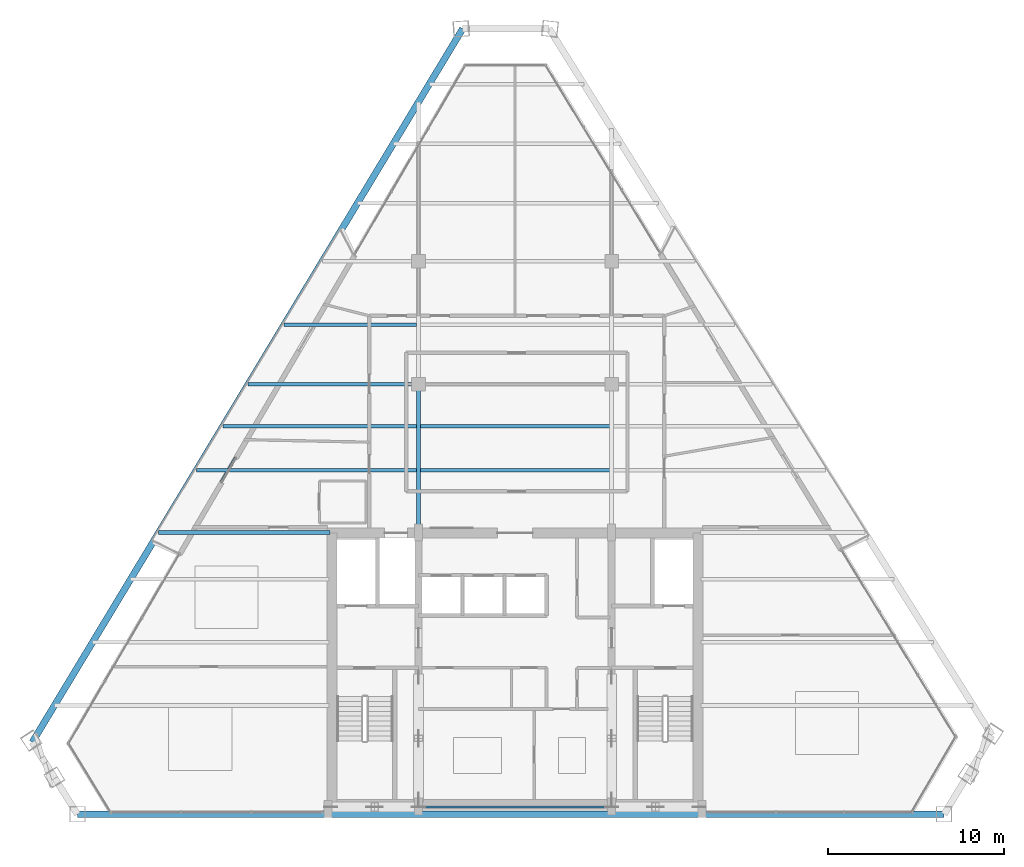
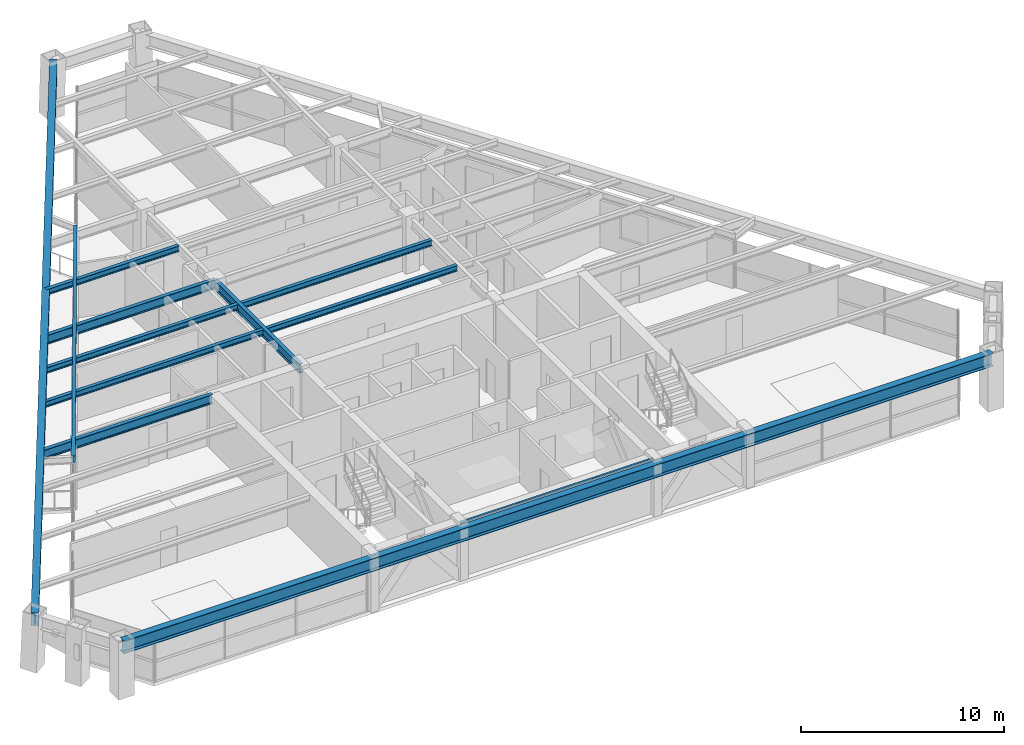
# One storey, part 3 of 13: 12 beams.
"""IFC4 building model written with IfcOpenShell, lengths in metres."""

from ifc_helpers import new_model, si_unit, direction, frame, origin, origin_2d, place, context, subcontext, project, spatial, i_section, extrude, source, transform, mapped, material, material_profile, profile_set, type_object, type_shapes, element, save


model = new_model("IFC4")

# Units and contexts
model_context = context("Model", 3, precision=1e-05, world=origin(), true_north=direction((0.0, 1.0)))
body_context = subcontext(model_context, "Body", "Model", "MODEL_VIEW")
ifc_project = project(units=[si_unit("LENGTHUNIT", "METRE"), si_unit("AREAUNIT", "SQUARE_METRE"), si_unit("VOLUMEUNIT", "CUBIC_METRE"), si_unit("PLANEANGLEUNIT", "RADIAN"), si_unit("MASSUNIT", "GRAM", prefix="KILO")], contexts=[model_context])

# Site, building, storey
site_placement = place(None, origin())
site = spatial("IfcSite", under=ifc_project, at=site_placement, CompositionType="ELEMENT")
building_placement = place(site_placement, origin())
building = spatial("IfcBuilding", under=site, at=building_placement, Name="Varnakhor Terracotta Tower", CompositionType="ELEMENT")
storey_placement = place(building_placement, frame((0.0, 0.0, 251.050048828125)))
storey = spatial("IfcBuildingStorey", under=building, at=storey_placement, Name="L65", CompositionType="ELEMENT", Elevation=251.050048828125)

# Beams
ifc_material = material(Name="Steel S355", Category="steel")
ifc_material_profile_1 = material_profile(ifc_material, i_section(OverallWidth=0.1201171875, OverallDepth=0.239990234375, WebThickness=0.006103515625, FlangeThickness=0.009765625, FilletRadius=0.01806640625, at=origin_2d()), Name="IPE240")
ifc_profile_set_1 = profile_set([ifc_material_profile_1], Name="Steel S355")
beam_type_1 = type_object("IfcBeamType", Name="LNT-IPE240", PredefinedType="LINTEL", material=ifc_profile_set_1)
shared_shape_1 = source(origin(), body_context, "Body", "SweptSolid", [
    extrude(i_section(OverallWidth=0.1201171875, OverallDepth=0.239990234375, WebThickness=0.006103515625, FlangeThickness=0.009765625, FilletRadius=0.01806640625, at=origin_2d()), origin(), (0.0, 0.0, 1.0), 11.0),
])
type_shapes(beam_type_1, [shared_shape_1])
beam_1_placement = place(storey_placement, frame((-5.5, 0.419921875, 3.119873046875), z_axis=(1.0, 0.0, 0.0), x_axis=(0.0, 1.0, 0.0)))
element("IfcBeam", 1, at=beam_1_placement, inside=storey, type_object=beam_type_1, Name="L65 Core South Coupling Lintel", PredefinedType="LINTEL", context=body_context, shape_type="MappedRepresentation", body=[
    mapped(shared_shape_1, transform((0.0, 0.0, 0.0), scale=1.0)),
])
ifc_material_profile_2 = material_profile(ifc_material, i_section(OverallWidth=0.214111328125, OverallDepth=0.549072265625, WebThickness=0.014892578125, FlangeThickness=0.02392578125, FilletRadius=0.01806640625, at=origin_2d()), Name="W21X93")
ifc_profile_set_2 = profile_set([ifc_material_profile_2], Name="Steel S355")
beam_type_2 = type_object("IfcBeamType", Name="BM-W21X93", PredefinedType="BEAM", material=ifc_profile_set_2)
shared_shape_2 = source(origin(), body_context, "Body", "SweptSolid", [
    extrude(i_section(OverallWidth=0.214111328125, OverallDepth=0.549072265625, WebThickness=0.014892578125, FlangeThickness=0.02392578125, FilletRadius=0.01806640625, at=origin_2d()), origin(), (0.0, 0.0, 1.0), 8.449951171875),
])
type_shapes(beam_type_2, [shared_shape_2])
beam_2_placement = place(storey_placement, frame((-5.5, 16.050048828125, 2.96533203125), z_axis=(0.0, 1.0, 0.0), x_axis=(-1.0, 0.0, 0.0)))
element("IfcBeam", 2, at=beam_2_placement, inside=storey, type_object=beam_type_2, Name="L65 Primary Girder NS1-W", PredefinedType="BEAM", context=body_context, shape_type="MappedRepresentation", body=[
    mapped(shared_shape_2, transform((0.0, 0.0, 0.0), scale=1.0)),
])
ifc_material_profile_3 = material_profile(ifc_material, i_section(OverallWidth=0.202880859375, OverallDepth=0.346923828125, WebThickness=0.0078125, FlangeThickness=0.013427734375, FilletRadius=0.01806640625, at=origin_2d()), Name="W14X43")
ifc_profile_set_3 = profile_set([ifc_material_profile_3], Name="Steel S355")
beam_type_3 = type_object("IfcBeamType", Name="JST-W14X43", PredefinedType="JOIST", material=ifc_profile_set_3)
shared_shape_3 = source(origin(), body_context, "Body", "SweptSolid", [
    extrude(i_section(OverallWidth=0.202880859375, OverallDepth=0.346923828125, WebThickness=0.0078125, FlangeThickness=0.013427734375, FilletRadius=0.01806640625, at=origin_2d()), origin(), (0.0, 0.0, 1.0), 10.7939453125),
])
for number, where, z_axis, x_axis, name in (
    (3, (-5.39697265625, 19.60009765625, 3.06640625), (1.0, 0.0, 0.0), (0.0, 1.0, 0.0), "L65 Composite Floor Joist 4-2"),
    (4, (-5.39697265625, 22.10009765625, 3.06640625), (1.0, 0.0, 0.0), (0.0, 1.0, 0.0), "L65 Composite Floor Joist 5-2"),
):
    element("IfcBeam", number, at=place(storey_placement, frame(where, z_axis=z_axis, x_axis=x_axis)), inside=storey, type_object=beam_type_3, Name=name, PredefinedType="JOIST", context=body_context, shape_type="MappedRepresentation", body=[
        mapped(shared_shape_3, transform((0.0, 0.0, 0.0), scale=1.0)),
    ])
ifc_material_profile_4 = material_profile(ifc_material, i_section(OverallWidth=0.381103515625, OverallDepth=0.77294921875, WebThickness=0.01708984375, FlangeThickness=0.027099609375, FilletRadius=0.01806640625, at=origin_2d()), Name="W30X173")
ifc_profile_set_4 = profile_set([ifc_material_profile_4], Name="Steel S355")
beam_type_4 = type_object("IfcBeamType", Name="BM-W30X173", PredefinedType="BEAM", material=ifc_profile_set_4)
shared_shape_4 = source(origin(), body_context, "Body", "SweptSolid", [
    extrude(i_section(OverallWidth=0.381103515625, OverallDepth=0.77294921875, WebThickness=0.01708984375, FlangeThickness=0.027099609375, FilletRadius=0.01806640625, at=origin_2d()), origin(), (0.0, 0.0, 1.0), 49.3681640625),
])
beam_3_placement = place(storey_placement, frame((-24.92724609375, 0.0, 2.853515625), z_axis=(1.0, 0.0, 0.0), x_axis=(0.0, 1.0, 0.0)))
element("IfcBeam", 5, at=beam_3_placement, inside=storey, type_object=beam_type_4, Name="L65 Perimeter Spandrel 1", PredefinedType="BEAM", context=body_context, shape_type="MappedRepresentation", body=[
    mapped(shared_shape_4, transform((0.0, 0.0, 0.0), scale=1.0)),
])
shared_shape_5 = source(origin(), body_context, "Body", "SweptSolid", [
    extrude(i_section(OverallWidth=0.381103515625, OverallDepth=0.77294921875, WebThickness=0.01708984375, FlangeThickness=0.027099609375, FilletRadius=0.01806640625, at=origin_2d()), origin(), (0.0, 0.0, 1.0), 47.468017578125),
])
beam_4_placement = place(storey_placement, frame((-2.981201171875, 44.752197265625, 2.853515625), z_axis=(-0.516543272719, -0.856261086007, 0.0), x_axis=(0.856261086007, -0.516543272719, 0.0)))
element("IfcBeam", 6, at=beam_4_placement, inside=storey, type_object=beam_type_4, Name="L65 Perimeter Spandrel 6", PredefinedType="BEAM", context=body_context, shape_type="MappedRepresentation", body=[
    mapped(shared_shape_5, transform((0.0, 0.0, 0.0), scale=1.0)),
])
ifc_material_profile_5 = material_profile(ifc_material, i_section(OverallWidth=0.179931640625, OverallDepth=0.39990234375, WebThickness=0.008544921875, FlangeThickness=0.013427734375, FilletRadius=0.01806640625, at=origin_2d()), Name="IPE400")
ifc_profile_set_5 = profile_set([ifc_material_profile_5], Name="Steel S355")
beam_type_5 = type_object("IfcBeamType", Name="JST-IPE400", PredefinedType="JOIST", material=ifc_profile_set_5)
shared_shape_6 = source(origin(), body_context, "Body", "SweptSolid", [
    extrude(i_section(OverallWidth=0.179931640625, OverallDepth=0.39990234375, WebThickness=0.008544921875, FlangeThickness=0.013427734375, FilletRadius=0.01806640625, at=origin_2d()), origin(), (0.0, 0.0, 1.0), 19.7958984375),
])
beam_5_placement = place(storey_placement, frame((-9.15234375, 31.89990234375, 3.0400390625), z_axis=(-0.504219118022, -0.863575752914, 0.0), x_axis=(0.863575752914, -0.504219118022, 0.0)))
element("IfcBeam", 7, at=beam_5_placement, inside=storey, type_object=beam_type_5, Name="L65 Loggia Edge Beam 2", PredefinedType="JOIST", context=body_context, shape_type="MappedRepresentation", body=[
    mapped(shared_shape_6, transform((0.0, 0.0, 0.0), scale=1.0)),
])
shared_shape_7 = source(origin(), body_context, "Body", "SweptSolid", [
    extrude(i_section(OverallWidth=0.214111328125, OverallDepth=0.549072265625, WebThickness=0.014892578125, FlangeThickness=0.02392578125, FilletRadius=0.01806640625, at=origin_2d()), origin(), (0.0, 0.0, 1.0), 9.745849609375),
])
beam_6_placement = place(storey_placement, frame((-20.2958984375, 16.050048828125, 2.96533203125), z_axis=(1.0, 0.0, 0.0), x_axis=(0.0, 1.0, 0.0)))
element("IfcBeam", 8, at=beam_6_placement, inside=storey, type_object=beam_type_2, Name="L65 Wing Girder W", PredefinedType="BEAM", context=body_context, shape_type="MappedRepresentation", body=[
    mapped(shared_shape_7, transform((0.0, 0.0, 0.0), scale=1.0)),
])
shared_shape_8 = source(origin(), body_context, "Body", "SweptSolid", [
    extrude(i_section(OverallWidth=0.214111328125, OverallDepth=0.549072265625, WebThickness=0.014892578125, FlangeThickness=0.02392578125, FilletRadius=0.01806640625, at=origin_2d()), origin(), (0.0, 0.0, 1.0), 9.698486328125),
])
beam_7_placement = place(storey_placement, frame((-15.198486328125, 24.5, 2.96533203125), z_axis=(1.0, 0.0, 0.0), x_axis=(0.0, 1.0, 0.0)))
element("IfcBeam", 9, at=beam_7_placement, inside=storey, type_object=beam_type_2, Name="L65 Primary Girder EW2-1", PredefinedType="BEAM", context=body_context, shape_type="MappedRepresentation", body=[
    mapped(shared_shape_8, transform((0.0, 0.0, 0.0), scale=1.0)),
])
shared_shape_9 = source(origin(), body_context, "Body", "SweptSolid", [
    extrude(i_section(OverallWidth=0.202880859375, OverallDepth=0.346923828125, WebThickness=0.0078125, FlangeThickness=0.013427734375, FilletRadius=0.01806640625, at=origin_2d()), origin(), (0.0, 0.0, 1.0), 12.55126953125),
])
beam_8_placement = place(storey_placement, frame((-18.154296875, 19.60009765625, 3.06640625), z_axis=(1.0, 0.0, 0.0), x_axis=(0.0, 1.0, 0.0)))
element("IfcBeam", 10, at=beam_8_placement, inside=storey, type_object=beam_type_3, Name="L65 Composite Floor Joist 4-1", PredefinedType="JOIST", context=body_context, shape_type="MappedRepresentation", body=[
    mapped(shared_shape_9, transform((0.0, 0.0, 0.0), scale=1.0)),
])
shared_shape_10 = source(origin(), body_context, "Body", "SweptSolid", [
    extrude(i_section(OverallWidth=0.202880859375, OverallDepth=0.346923828125, WebThickness=0.0078125, FlangeThickness=0.013427734375, FilletRadius=0.01806640625, at=origin_2d()), origin(), (0.0, 0.0, 1.0), 11.043212890625),
])
beam_9_placement = place(storey_placement, frame((-16.646240234375, 22.10009765625, 3.06640625), z_axis=(1.0, 0.0, 0.0), x_axis=(0.0, 1.0, 0.0)))
element("IfcBeam", 11, at=beam_9_placement, inside=storey, type_object=beam_type_3, Name="L65 Composite Floor Joist 5-1", PredefinedType="JOIST", context=body_context, shape_type="MappedRepresentation", body=[
    mapped(shared_shape_10, transform((0.0, 0.0, 0.0), scale=1.0)),
])
shared_shape_11 = source(origin(), body_context, "Body", "SweptSolid", [
    extrude(i_section(OverallWidth=0.202880859375, OverallDepth=0.346923828125, WebThickness=0.0078125, FlangeThickness=0.013427734375, FilletRadius=0.01806640625, at=origin_2d()), origin(), (0.0, 0.0, 1.0), 7.544189453125),
])
beam_10_placement = place(storey_placement, frame((-13.147216796875, 27.89990234375, 3.06640625), z_axis=(1.0, 0.0, 0.0), x_axis=(0.0, 1.0, 0.0)))
element("IfcBeam", 12, at=beam_10_placement, inside=storey, type_object=beam_type_3, Name="L65 Composite Floor Joist 6-1", PredefinedType="JOIST", context=body_context, shape_type="MappedRepresentation", body=[
    mapped(shared_shape_11, transform((0.0, 0.0, 0.0), scale=1.0)),
])

save(model, "model.ifc")
